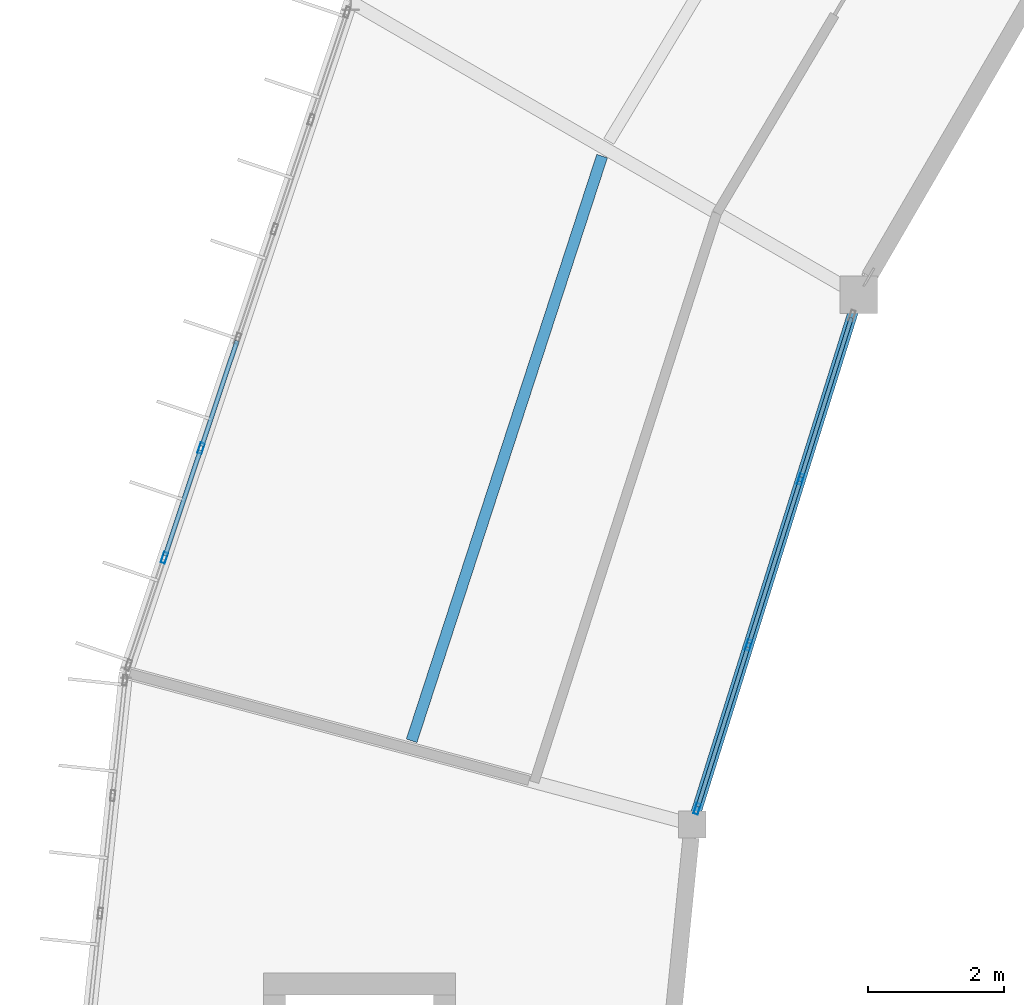
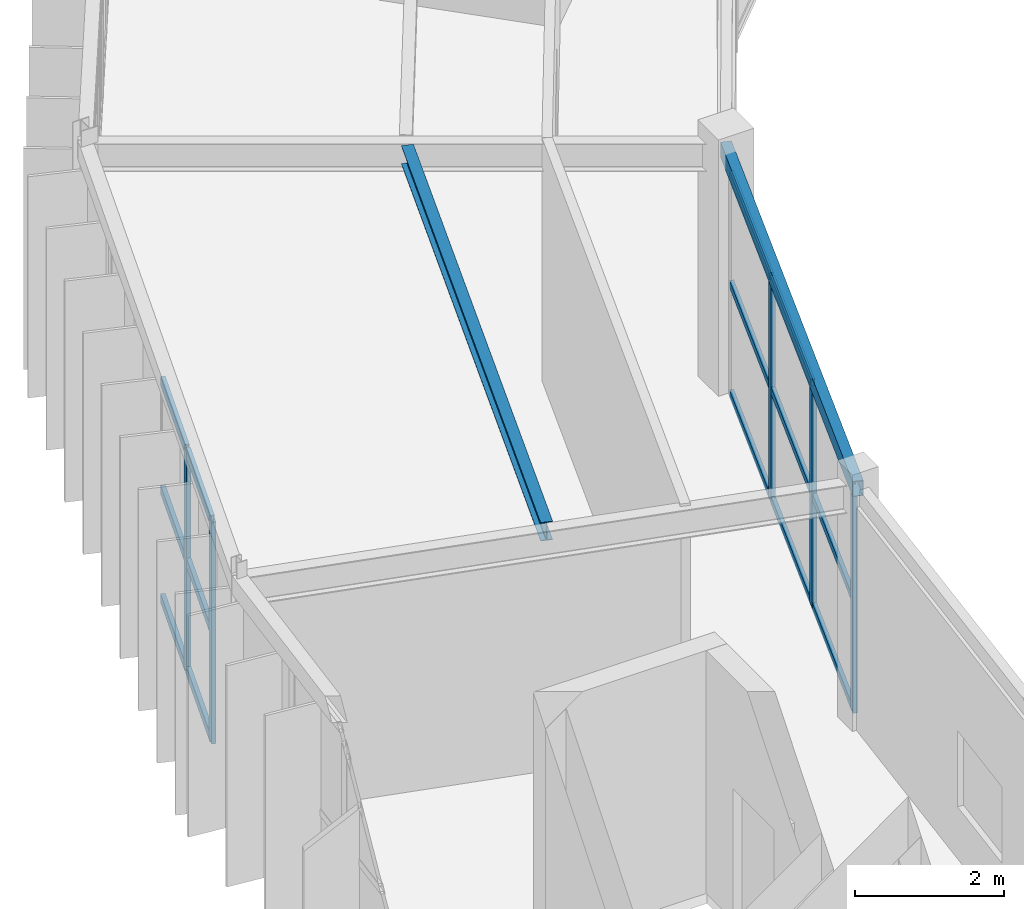
# One storey, part 43 of 134: 20 members, 2 beams, 2 elements without a shape of their own.
"""IFC4 building model written with IfcOpenShell, lengths in metres."""

from ifc_helpers import new_model, si_unit, direction, frame, origin, origin_2d, place, context, subcontext, project, spatial, hollow_rectangle, i_section, extrude, material, material_profile, profile_set, type_object, element, aggregate, save


model = new_model("IFC4")

# Units and contexts
model_context = context("Model", 3, precision=1e-05, world=origin(), true_north=direction((0.0, 1.0)))
body_context = subcontext(model_context, "Body", "Model", "MODEL_VIEW")
ifc_project = project(units=[si_unit("LENGTHUNIT", "METRE"), si_unit("AREAUNIT", "SQUARE_METRE"), si_unit("VOLUMEUNIT", "CUBIC_METRE"), si_unit("PLANEANGLEUNIT", "RADIAN"), si_unit("MASSUNIT", "GRAM", prefix="KILO")], contexts=[model_context])

# Site, building, storey
site_placement = place(None, origin())
site = spatial("IfcSite", under=ifc_project, at=site_placement, CompositionType="ELEMENT")
building_placement = place(site_placement, origin())
building = spatial("IfcBuilding", under=site, at=building_placement, Name="Karori Crest Natural Sciences Institute", CompositionType="ELEMENT")
storey_placement = place(building_placement, frame((0.0, 0.0, 21.699951171875)))
storey = spatial("IfcBuildingStorey", under=building, at=storey_placement, Name="L05", CompositionType="ELEMENT", Elevation=21.699951171875)

# Beams
ifc_material_1 = material(Name="Structural steel AS/NZS 3679.1 Grade 350", Category="steel")
ifc_material_profile_1 = material_profile(ifc_material_1, i_section(OverallWidth=0.1650390625, OverallDepth=0.303955078125, WebThickness=0.006103515625, FlangeThickness=0.01025390625, FilletRadius=0.010986328125, at=origin_2d()), Name="310UB40.4")
ifc_profile_set_1 = profile_set([ifc_material_profile_1], Name="Structural steel AS/NZS 3679.1 Grade 350")
beam_type_1 = type_object("IfcBeamType", Name="BT-10", PredefinedType="BEAM", material=ifc_profile_set_1)
beam_1_placement = place(storey_placement, frame((41.5078125, 68.035888671875, 3.7880859375), z_axis=(-0.309674277679, -0.950842700842, 0.0), x_axis=(0.950842700842, -0.309674277679, 0.0)))
element("IfcBeam", 1, at=beam_1_placement, inside=storey, type_object=beam_type_1, Name="Beam B-0582", PredefinedType="BEAM", context=body_context, shape_type="SweptSolid", body=[
    extrude(i_section(OverallWidth=0.1650390625, OverallDepth=0.303955078125, WebThickness=0.006103515625, FlangeThickness=0.01025390625, FilletRadius=0.010986328125, at=origin_2d()), origin(), (0.0, 0.0, 1.0), 9.018310546875),
])
ifc_material_2 = material(Name="Hollow structural steel AS/NZS 1163 Grade C350", Category="steel")
ifc_material_profile_2 = material_profile(ifc_material_2, hollow_rectangle(XDim=0.14990234375, YDim=0.25, WallThickness=0.009033203125, at=origin_2d()), Name="RHS250x150x9")
ifc_profile_set_2 = profile_set([ifc_material_profile_2], Name="Hollow structural steel AS/NZS 1163 Grade C350")
beam_type_2 = type_object("IfcBeamType", Name="BT-16", PredefinedType="SPANDREL", material=ifc_profile_set_2)
beam_2_placement = place(storey_placement, frame((45.26904296875, 66.0, 3.7900390625), z_axis=(-0.299487310016, -0.954100283586, 0.0), x_axis=(0.954100283586, -0.299487310016, 0.0)))
element("IfcBeam", 2, at=beam_2_placement, inside=storey, type_object=beam_type_2, Name="Beam B-0580", PredefinedType="SPANDREL", context=body_context, shape_type="SweptSolid", body=[
    extrude(hollow_rectangle(XDim=0.14990234375, YDim=0.25, WallThickness=0.009033203125, at=origin_2d()), origin(), (0.0, 0.0, 1.0), 8.1396484375),
])

# Curtain wall, members
ifc_material_3 = material(Name="Anodised architectural aluminium 6063-T6", Category="aluminium")
curtain_wall_type_1 = type_object("IfcCurtainWallType", Name="CWT-01", PredefinedType="NOTDEFINED", material=ifc_material_3)
curtain_wall_1_placement = place(storey_placement, origin())
curtain_wall_1 = element("IfcCurtainWall", 3, at=curtain_wall_1_placement, inside=storey, type_object=curtain_wall_type_1, Name="Curtain wall CW-0187", PredefinedType="NOTDEFINED")
ifc_material_profile_3 = material_profile(ifc_material_3, hollow_rectangle(XDim=0.06494140625, YDim=0.159912109375, WallThickness=0.00390625, at=origin_2d()), Name="CWM160x65x4")
ifc_profile_set_3 = profile_set([ifc_material_profile_3], Name="Anodised architectural aluminium 6063-T6")
member_type_1 = type_object("IfcMemberType", Name="CWM-01", PredefinedType="MULLION", material=ifc_profile_set_3)
member_1_placement = place(storey_placement, frame((35.0888671875, 62.14501953125, 0.0), z_axis=(0.0, 0.0, 1.0), x_axis=(-0.94819805026, 0.317679803392, 0.0)))
member_1 = element("IfcMember", 4, at=member_1_placement, type_object=member_type_1, Name="CW-0187 mullion 2", PredefinedType="MULLION", context=body_context, shape_type="SweptSolid", body=[
    extrude(hollow_rectangle(XDim=0.06494140625, YDim=0.159912109375, WallThickness=0.00390625, at=origin_2d()), origin(), (0.0, 0.0, 1.0), 3.625),
])
member_2_placement = place(storey_placement, frame((35.626953125, 63.7509765625, 0.0), z_axis=(0.0, 0.0, 1.0), x_axis=(-0.94819805026, 0.317679803392, 0.0)))
member_2 = element("IfcMember", 5, at=member_2_placement, type_object=member_type_1, Name="CW-0187 mullion 3", PredefinedType="MULLION", context=body_context, shape_type="SweptSolid", body=[
    extrude(hollow_rectangle(XDim=0.06494140625, YDim=0.159912109375, WallThickness=0.00390625, at=origin_2d()), origin(), (0.0, 0.0, 1.0), 3.625),
])

curtain_wall_type_2 = type_object("IfcCurtainWallType", Name="CWT-11", PredefinedType="NOTDEFINED", material=ifc_material_3)
curtain_wall_2_placement = place(storey_placement, origin())
curtain_wall_2 = element("IfcCurtainWall", 6, at=curtain_wall_2_placement, inside=storey, type_object=curtain_wall_type_2, Name="Curtain wall CW-0188", PredefinedType="NOTDEFINED")
member_3_placement = place(storey_placement, frame((44.420166015625, 63.29541015625, 0.0), z_axis=(0.0, 0.0, 1.0), x_axis=(0.954104067778, -0.299475254154, 0.0)))
member_3 = element("IfcMember", 7, at=member_3_placement, type_object=member_type_1, Name="CW-0188 mullion 2", PredefinedType="MULLION", context=body_context, shape_type="SweptSolid", body=[
    extrude(hollow_rectangle(XDim=0.06494140625, YDim=0.159912109375, WallThickness=0.00390625, at=origin_2d()), origin(), (0.0, 0.0, 1.0), 3.650146484375),
])
member_4_placement = place(storey_placement, frame((43.65673828125, 60.86376953125, 0.0), z_axis=(0.0, 0.0, 1.0), x_axis=(0.954104067778, -0.299475254154, 0.0)))
member_4 = element("IfcMember", 8, at=member_4_placement, type_object=member_type_1, Name="CW-0188 mullion 3", PredefinedType="MULLION", context=body_context, shape_type="SweptSolid", body=[
    extrude(hollow_rectangle(XDim=0.06494140625, YDim=0.159912109375, WallThickness=0.00390625, at=origin_2d()), origin(), (0.0, 0.0, 1.0), 3.650146484375),
])
member_5_placement = place(storey_placement, frame((42.9033203125, 58.463134765625, 0.0), z_axis=(0.0, 0.0, 1.0), x_axis=(0.954104067778, -0.299475254154, 0.0)))
member_5 = element("IfcMember", 9, at=member_5_placement, type_object=member_type_1, Name="CW-0188 mullion 4", PredefinedType="MULLION", context=body_context, shape_type="SweptSolid", body=[
    extrude(hollow_rectangle(XDim=0.06494140625, YDim=0.159912109375, WallThickness=0.00390625, at=origin_2d()), origin(), (0.0, 0.0, 1.0), 3.650146484375),
])
ifc_material_profile_4 = material_profile(ifc_material_3, hollow_rectangle(XDim=0.06005859375, YDim=0.1201171875, WallThickness=0.00390625, at=origin_2d()), Name="CWT120x60x4")
ifc_profile_set_4 = profile_set([ifc_material_profile_4], Name="Anodised architectural aluminium 6063-T6")
member_type_2 = type_object("IfcMemberType", Name="CWT-TR1", PredefinedType="USERDEFINED", material=ifc_profile_set_4)
member_6_placement = place(storey_placement, frame((45.163818359375, 65.664794921875, 0.030029296875), z_axis=(-0.299533888531, -0.954085661574, 0.0), x_axis=(0.954085661574, -0.299533888531, 0.0)))
member_6 = element("IfcMember", 10, at=member_6_placement, type_object=member_type_2, Name="CW-0188 transom 1.1", ObjectType="TRANSOM", PredefinedType="USERDEFINED", context=body_context, shape_type="SweptSolid", body=[
    extrude(hollow_rectangle(XDim=0.06005859375, YDim=0.1201171875, WallThickness=0.00390625, at=origin_2d()), origin(), (0.0, 0.0, 1.0), 2.450927734375),
])
member_7_placement = place(storey_placement, frame((45.163818359375, 65.664794921875, 1.824951171875), z_axis=(-0.299533888531, -0.954085661574, 0.0), x_axis=(0.954085661574, -0.299533888531, 0.0)))
member_7 = element("IfcMember", 11, at=member_7_placement, type_object=member_type_2, Name="CW-0188 transom 1.2", ObjectType="TRANSOM", PredefinedType="USERDEFINED", context=body_context, shape_type="SweptSolid", body=[
    extrude(hollow_rectangle(XDim=0.06005859375, YDim=0.1201171875, WallThickness=0.00390625, at=origin_2d()), origin(), (0.0, 0.0, 1.0), 2.450927734375),
])
member_8_placement = place(storey_placement, frame((45.163818359375, 65.664794921875, 3.6201171875), z_axis=(-0.299533888531, -0.954085661574, 0.0), x_axis=(0.954085661574, -0.299533888531, 0.0)))
member_8 = element("IfcMember", 12, at=member_8_placement, type_object=member_type_2, Name="CW-0188 transom 1.3", ObjectType="TRANSOM", PredefinedType="USERDEFINED", context=body_context, shape_type="SweptSolid", body=[
    extrude(hollow_rectangle(XDim=0.06005859375, YDim=0.1201171875, WallThickness=0.00390625, at=origin_2d()), origin(), (0.0, 0.0, 1.0), 2.450927734375),
])
member_9_placement = place(storey_placement, frame((44.410400390625, 63.264404296875, 0.030029296875), z_axis=(-0.299517296731, -0.954090870389, 0.0), x_axis=(0.954090870389, -0.299517296731, 0.0)))
member_9 = element("IfcMember", 13, at=member_9_placement, type_object=member_type_2, Name="CW-0188 transom 2.1", ObjectType="TRANSOM", PredefinedType="USERDEFINED", context=body_context, shape_type="SweptSolid", body=[
    extrude(hollow_rectangle(XDim=0.06005859375, YDim=0.1201171875, WallThickness=0.00390625, at=origin_2d()), origin(), (0.0, 0.0, 1.0), 2.483642578125),
])
member_10_placement = place(storey_placement, frame((44.410400390625, 63.264404296875, 1.824951171875), z_axis=(-0.299517296731, -0.954090870389, 0.0), x_axis=(0.954090870389, -0.299517296731, 0.0)))
member_10 = element("IfcMember", 14, at=member_10_placement, type_object=member_type_2, Name="CW-0188 transom 2.2", ObjectType="TRANSOM", PredefinedType="USERDEFINED", context=body_context, shape_type="SweptSolid", body=[
    extrude(hollow_rectangle(XDim=0.06005859375, YDim=0.1201171875, WallThickness=0.00390625, at=origin_2d()), origin(), (0.0, 0.0, 1.0), 2.483642578125),
])
member_11_placement = place(storey_placement, frame((44.410400390625, 63.264404296875, 3.6201171875), z_axis=(-0.299517296731, -0.954090870389, 0.0), x_axis=(0.954090870389, -0.299517296731, 0.0)))
member_11 = element("IfcMember", 15, at=member_11_placement, type_object=member_type_2, Name="CW-0188 transom 2.3", ObjectType="TRANSOM", PredefinedType="USERDEFINED", context=body_context, shape_type="SweptSolid", body=[
    extrude(hollow_rectangle(XDim=0.06005859375, YDim=0.1201171875, WallThickness=0.00390625, at=origin_2d()), origin(), (0.0, 0.0, 1.0), 2.483642578125),
])
member_12_placement = place(storey_placement, frame((43.647216796875, 60.832763671875, 0.030029296875), z_axis=(-0.29950542383, -0.954094597562, 0.0), x_axis=(0.954094597562, -0.29950542383, 0.0)))
member_12 = element("IfcMember", 16, at=member_12_placement, type_object=member_type_2, Name="CW-0188 transom 3.1", ObjectType="TRANSOM", PredefinedType="USERDEFINED", context=body_context, shape_type="SweptSolid", body=[
    extrude(hollow_rectangle(XDim=0.06005859375, YDim=0.1201171875, WallThickness=0.00390625, at=origin_2d()), origin(), (0.0, 0.0, 1.0), 2.451171875),
])
member_13_placement = place(storey_placement, frame((43.647216796875, 60.832763671875, 1.824951171875), z_axis=(-0.29950542383, -0.954094597562, 0.0), x_axis=(0.954094597562, -0.29950542383, 0.0)))
member_13 = element("IfcMember", 17, at=member_13_placement, type_object=member_type_2, Name="CW-0188 transom 3.2", ObjectType="TRANSOM", PredefinedType="USERDEFINED", context=body_context, shape_type="SweptSolid", body=[
    extrude(hollow_rectangle(XDim=0.06005859375, YDim=0.1201171875, WallThickness=0.00390625, at=origin_2d()), origin(), (0.0, 0.0, 1.0), 2.451171875),
])
member_14_placement = place(storey_placement, frame((43.647216796875, 60.832763671875, 3.6201171875), z_axis=(-0.29950542383, -0.954094597562, 0.0), x_axis=(0.954094597562, -0.29950542383, 0.0)))
member_14 = element("IfcMember", 18, at=member_14_placement, type_object=member_type_2, Name="CW-0188 transom 3.3", ObjectType="TRANSOM", PredefinedType="USERDEFINED", context=body_context, shape_type="SweptSolid", body=[
    extrude(hollow_rectangle(XDim=0.06005859375, YDim=0.1201171875, WallThickness=0.00390625, at=origin_2d()), origin(), (0.0, 0.0, 1.0), 2.451171875),
])
aggregate(curtain_wall_2, [member_3, member_4, member_5, member_6, member_7, member_8, member_9, member_10, member_11, member_12, member_13, member_14])

# Member
ifc_material_profile_5 = material_profile(ifc_material_3, hollow_rectangle(XDim=0.06494140625, YDim=0.14990234375, WallThickness=0.00390625, at=origin_2d()), Name="CWT150x65x4")
ifc_profile_set_5 = profile_set([ifc_material_profile_5], Name="Anodised architectural aluminium 6063-T6")
member_type_3 = type_object("IfcMemberType", Name="CWT-TR2", PredefinedType="USERDEFINED", material=ifc_profile_set_5)
member_15_placement = place(storey_placement, frame((35.099365234375, 62.17578125, 0.032470703125), z_axis=(0.317666571129, 0.948202483432, 0.0), x_axis=(-0.948202483432, 0.317666571129, 0.0)))
member_15 = element("IfcMember", 19, at=member_15_placement, type_object=member_type_3, Name="CW-0187 transom 2.1", ObjectType="TRANSOM", PredefinedType="USERDEFINED", context=body_context, shape_type="SweptSolid", body=[
    extrude(hollow_rectangle(XDim=0.06494140625, YDim=0.14990234375, WallThickness=0.00390625, at=origin_2d()), origin(), (0.0, 0.0, 1.0), 1.628662109375),
])

member_16_placement = place(storey_placement, frame((35.099365234375, 62.17578125, 1.8125), z_axis=(0.317666571129, 0.948202483432, 0.0), x_axis=(-0.948202483432, 0.317666571129, 0.0)))
member_16 = element("IfcMember", 20, at=member_16_placement, type_object=member_type_3, Name="CW-0187 transom 2.2", ObjectType="TRANSOM", PredefinedType="USERDEFINED", context=body_context, shape_type="SweptSolid", body=[
    extrude(hollow_rectangle(XDim=0.06494140625, YDim=0.14990234375, WallThickness=0.00390625, at=origin_2d()), origin(), (0.0, 0.0, 1.0), 1.628662109375),
])

member_17_placement = place(storey_placement, frame((35.099365234375, 62.17578125, 3.592529296875), z_axis=(0.317666571129, 0.948202483432, 0.0), x_axis=(-0.948202483432, 0.317666571129, 0.0)))
member_17 = element("IfcMember", 21, at=member_17_placement, type_object=member_type_3, Name="CW-0187 transom 2.3", ObjectType="TRANSOM", PredefinedType="USERDEFINED", context=body_context, shape_type="SweptSolid", body=[
    extrude(hollow_rectangle(XDim=0.06494140625, YDim=0.14990234375, WallThickness=0.00390625, at=origin_2d()), origin(), (0.0, 0.0, 1.0), 1.628662109375),
])

member_18_placement = place(storey_placement, frame((35.637451171875, 63.78173828125, 0.032470703125), z_axis=(0.317621421426, 0.948217608279, 0.0), x_axis=(-0.948217608279, 0.317621421426, 0.0)))
member_18 = element("IfcMember", 22, at=member_18_placement, type_object=member_type_3, Name="CW-0187 transom 3.1", ObjectType="TRANSOM", PredefinedType="USERDEFINED", context=body_context, shape_type="SweptSolid", body=[
    extrude(hollow_rectangle(XDim=0.06494140625, YDim=0.14990234375, WallThickness=0.00390625, at=origin_2d()), origin(), (0.0, 0.0, 1.0), 1.628662109375),
])

member_19_placement = place(storey_placement, frame((35.637451171875, 63.78173828125, 1.8125), z_axis=(0.317621421426, 0.948217608279, 0.0), x_axis=(-0.948217608279, 0.317621421426, 0.0)))
member_19 = element("IfcMember", 23, at=member_19_placement, type_object=member_type_3, Name="CW-0187 transom 3.2", ObjectType="TRANSOM", PredefinedType="USERDEFINED", context=body_context, shape_type="SweptSolid", body=[
    extrude(hollow_rectangle(XDim=0.06494140625, YDim=0.14990234375, WallThickness=0.00390625, at=origin_2d()), origin(), (0.0, 0.0, 1.0), 1.628662109375),
])

member_20_placement = place(storey_placement, frame((35.637451171875, 63.78173828125, 3.592529296875), z_axis=(0.317621421426, 0.948217608279, 0.0), x_axis=(-0.948217608279, 0.317621421426, 0.0)))
member_20 = element("IfcMember", 24, at=member_20_placement, type_object=member_type_3, Name="CW-0187 transom 3.3", ObjectType="TRANSOM", PredefinedType="USERDEFINED", context=body_context, shape_type="SweptSolid", body=[
    extrude(hollow_rectangle(XDim=0.06494140625, YDim=0.14990234375, WallThickness=0.00390625, at=origin_2d()), origin(), (0.0, 0.0, 1.0), 1.628662109375),
])

aggregate(curtain_wall_1, [member_1, member_2, member_15, member_16, member_17, member_18, member_19, member_20])

save(model, "model.ifc")
